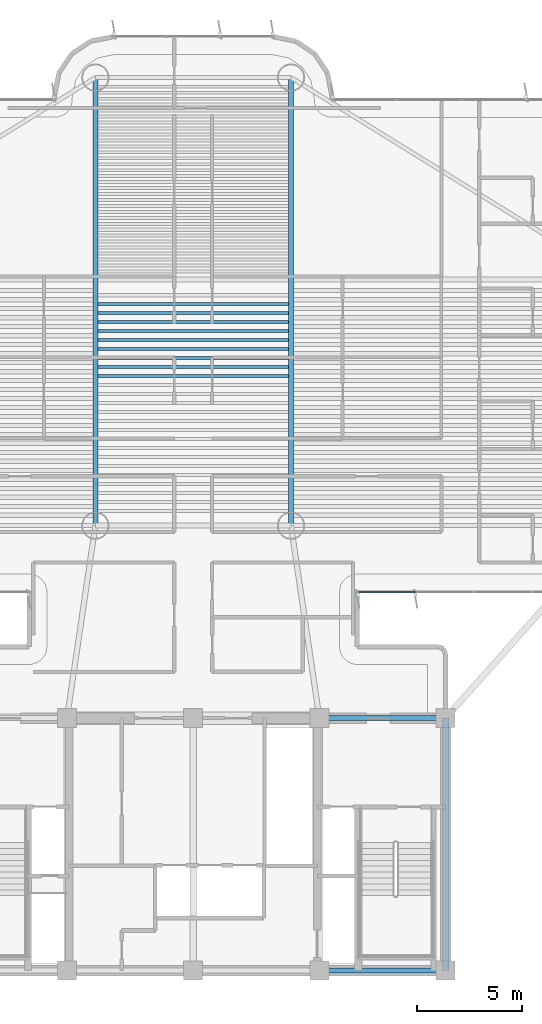
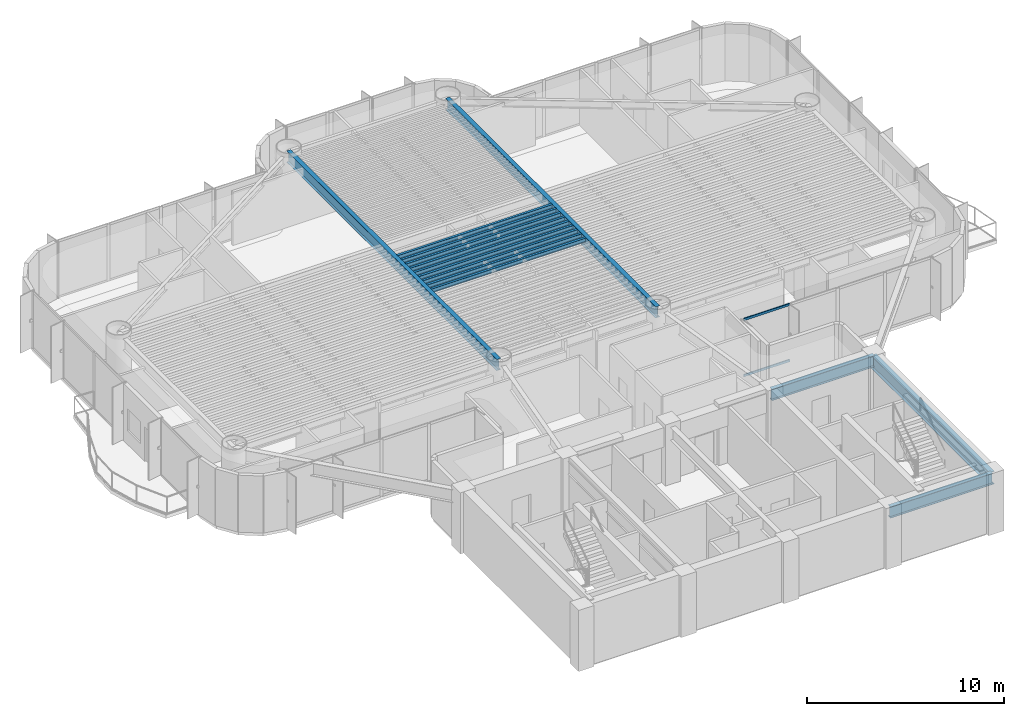
# One storey, part 3 of 17: 14 beams, 2 members, 1 element without a shape of its own.
"""IFC4 building model written with IfcOpenShell, lengths in metres."""

import ifcopenshell
import ifcopenshell.guid

model = None  # the IFC model being written
_history = None  # IfcOwnerHistory: only IFC2X3 demands one
_inside = {}  # id of a spatial element -> (the spatial element, [elements in it])
_under = {}  # id of a project, library or spatial element -> (it, [spatial elements below it])
_declared = {}  # id of a project -> (the project, [libraries it declares])
_typed = {}  # id of a type object -> (the type object, [elements of that type])
_made_of = {}  # id of a material, layer set ... -> (it, [elements and type objects made of it])


def new_model(schema):
    """Start an empty IFC model of exactly this schema.

    Asked for "IFC4X3", IfcOpenShell would pick the latest addendum, in which some entities
    have other attributes; the version numbers below select the first issue.
    IFC2X3 requires an IfcOwnerHistory on every rooted entity: one is made here for all.
    """
    global model, _history
    if schema == "IFC4X3":
        model = ifcopenshell.file(schema_version=(4, 3, 0, 0))
    else:
        model = ifcopenshell.file(schema=schema)
    _inside.clear()
    _under.clear()
    _declared.clear()
    _typed.clear()
    _made_of.clear()
    _history = None
    if model.schema == "IFC2X3":
        org = make("IfcOrganization", Name="unknown")
        user = make(
            "IfcPersonAndOrganization",
            ThePerson=make("IfcPerson", FamilyName="unknown"),
            TheOrganization=org,
        )
        app = make(
            "IfcApplication",
            ApplicationDeveloper=org,
            Version="unknown",
            ApplicationFullName="unknown",
            ApplicationIdentifier="unknown",
        )
        _history = make(
            "IfcOwnerHistory",
            OwningUser=user,
            OwningApplication=app,
            ChangeAction="ADDED",
            CreationDate=0,
        )
    return model


def make(cls, **values):
    """One entity of the class cls with the attributes given. An attribute that is None is left unset."""
    return model.create_entity(
        cls, **{name: value for name, value in values.items() if value is not None}
    )


def rooted(cls, **values):
    """An entity with a GlobalId (a new one), such as an element, a storey or a relation."""
    return make(cls, GlobalId=ifcopenshell.guid.new(), OwnerHistory=_history, **values)


def si_unit(unit_type, name, prefix=None):
    """IfcSIUnit, for example si_unit("LENGTHUNIT", "METRE", prefix="MILLI")."""
    return make("IfcSIUnit", UnitType=unit_type, Prefix=prefix, Name=name)


def assignment(units):
    """IfcUnitAssignment: the units of a project."""
    return None if units is None else make("IfcUnitAssignment", Units=units)


def point(xyz):
    """IfcCartesianPoint."""
    return None if xyz is None else make("IfcCartesianPoint", Coordinates=xyz)


def direction(xyz):
    """IfcDirection."""
    return None if xyz is None else make("IfcDirection", DirectionRatios=xyz)


def frame(location, z_axis=None, x_axis=None):
    """IfcAxis2Placement3D, a coordinate frame: its origin and axes. An axis left out is left unset."""
    return make(
        "IfcAxis2Placement3D",
        Location=point(location),
        Axis=direction(z_axis),
        RefDirection=direction(x_axis),
    )


def frame_2d(location, x_axis=None):
    """IfcAxis2Placement2D, a coordinate frame in the plane: its origin and x axis."""
    return make(
        "IfcAxis2Placement2D", Location=point(location), RefDirection=direction(x_axis)
    )


def origin():
    """The frame at (0, 0, 0) with its axes left unset."""
    return frame((0.0, 0.0, 0.0))


def origin_2d():
    """The frame at (0, 0) in the plane with its x axis left unset."""
    return frame_2d((0.0, 0.0))


def place(relative_to, where):
    """IfcLocalPlacement: puts the frame where relative to a parent placement (None: the world)."""
    return make(
        "IfcLocalPlacement", PlacementRelTo=relative_to, RelativePlacement=where
    )


def context(
    kind, dimensions, precision=None, world=None, true_north=None, identifier=None
):
    """IfcGeometricRepresentationContext, for example the 3D "Model" context."""
    return make(
        "IfcGeometricRepresentationContext",
        ContextIdentifier=identifier,
        ContextType=kind,
        CoordinateSpaceDimension=dimensions,
        Precision=precision,
        WorldCoordinateSystem=world,
        TrueNorth=true_north,
    )


def subcontext(parent, identifier, kind, view, scale=None):
    """IfcGeometricRepresentationSubContext, for example "Body" below "Model"."""
    return make(
        "IfcGeometricRepresentationSubContext",
        ContextIdentifier=identifier,
        ContextType=kind,
        ParentContext=parent,
        TargetScale=scale,
        TargetView=view,
    )


def project(units=None, contexts=None):
    """IfcProject with its units and contexts."""
    return rooted(
        "IfcProject",
        Name="project",
        RepresentationContexts=contexts,
        UnitsInContext=assignment(units),
    )


def spatial(cls, under=None, at=None, **own):
    """A site, building, storey or space (cls), placed at a placement, below another one or the project."""
    s = rooted(cls, ObjectPlacement=at, **own)
    if under is not None:
        _under.setdefault(under.id(), (under, []))[1].append(s)
    return s


def profile(cls, at=None, kind="AREA", **sizes):
    """A parametric profile (cls). Its sizes go by their IFC names, for example OverallWidth=200.0."""
    return make(cls, ProfileType=kind, Position=at, **sizes)


def rectangle(**sizes):
    """IfcRectangleProfileDef."""
    return profile("IfcRectangleProfileDef", **sizes)


def i_section(**sizes):
    """IfcIShapeProfileDef."""
    return profile("IfcIShapeProfileDef", **sizes)


def extrude(swept, where, along, depth):
    """IfcExtrudedAreaSolid: the profile swept, set in the frame where, extruded along a direction by depth."""
    return make(
        "IfcExtrudedAreaSolid",
        SweptArea=swept,
        Position=where,
        ExtrudedDirection=direction(along),
        Depth=depth,
    )


def shape(context_of_items, identifier, shape_type, items):
    """IfcShapeRepresentation: the items that make up one representation, for example the "Body"."""
    return make(
        "IfcShapeRepresentation",
        ContextOfItems=context_of_items,
        RepresentationIdentifier=identifier,
        RepresentationType=shape_type,
        Items=items,
    )


def source(mapping_origin, context_of_items, identifier, shape_type, items):
    """IfcRepresentationMap: a shape defined once, which mapped items show again and again."""
    return make(
        "IfcRepresentationMap",
        MappingOrigin=mapping_origin,
        MappedRepresentation=shape(context_of_items, identifier, shape_type, items),
    )


def transform(
    local_origin,
    x_axis=None,
    y_axis=None,
    z_axis=None,
    scale=None,
    scale2=None,
    scale3=None,
    uniform=True,
):
    """IfcCartesianTransformationOperator3D, or its non-uniform kind. x_axis, y_axis, z_axis: its Axis1, 2, 3."""
    if uniform:
        return make(
            "IfcCartesianTransformationOperator3D",
            Axis1=direction(x_axis),
            Axis2=direction(y_axis),
            LocalOrigin=point(local_origin),
            Scale=scale,
            Axis3=direction(z_axis),
        )
    return make(
        "IfcCartesianTransformationOperator3DnonUniform",
        Axis1=direction(x_axis),
        Axis2=direction(y_axis),
        LocalOrigin=point(local_origin),
        Scale=scale,
        Axis3=direction(z_axis),
        Scale2=scale2,
        Scale3=scale3,
    )


def mapped(mapping_source, mapping_target):
    """IfcMappedItem: shows the shape of a source again, moved by a transform."""
    return make(
        "IfcMappedItem", MappingSource=mapping_source, MappingTarget=mapping_target
    )


def material(Name=None, Category=None):
    """IfcMaterial."""
    return make("IfcMaterial", Name=Name, Category=Category)


def layer(
    of_material, thickness, ventilated=None, Name=None, Category=None, Priority=None
):
    """IfcMaterialLayer: one layer of a wall or slab, of a material (None: an air gap)."""
    return make(
        "IfcMaterialLayer",
        Material=of_material,
        LayerThickness=thickness,
        IsVentilated=ventilated,
        Name=Name,
        Category=Category,
        Priority=Priority,
    )


def layer_set(layers, Name=None):
    """IfcMaterialLayerSet."""
    return make("IfcMaterialLayerSet", MaterialLayers=layers, LayerSetName=Name)


def material_profile(
    of_material, cross_section, Name=None, Category=None, Priority=None
):
    """IfcMaterialProfile: a cross section and its material."""
    return make(
        "IfcMaterialProfile",
        Name=Name,
        Material=of_material,
        Profile=cross_section,
        Priority=Priority,
        Category=Category,
    )


def profile_set(profiles, Name=None, composite=None):
    """IfcMaterialProfileSet."""
    return make(
        "IfcMaterialProfileSet",
        Name=Name,
        MaterialProfiles=profiles,
        CompositeProfile=composite,
    )


def made_of(thing, what):
    """Note that an element or type object is made of a material, layer set ...; save() writes the relation."""
    if what is not None:
        _made_of.setdefault(what.id(), (what, []))[1].append(thing)
    return thing


def type_object(cls, material=None, **own):
    """A type object (cls), such as IfcWallType, which elements share."""
    return made_of(rooted(cls, **own), material)


def element(
    cls,
    number,
    at=None,
    inside=None,
    cuts=None,
    type_object=None,
    material=None,
    context=None,
    identifier="Body",
    shape_type=None,
    held_by="IfcProductDefinitionShape",
    body=None,
    shapes=None,
    **own,
):
    """One element of the class cls, such as IfcWall. Its Tag is "e" and its number.

    at: its placement. inside: the storey or other place that contains it. cuts: it is an
    opening in that element (IfcRelVoidsElement). A single representation is given by context,
    identifier, shape_type and body (its items); several are given by shapes. held_by: the class
    of the entity that holds the representations. save() writes the other relations.
    """
    e = rooted(cls, Tag="e%d" % number, ObjectPlacement=at, **own)
    if body is not None:
        shapes = [shape(context, identifier, shape_type, body)]
    if shapes is not None:
        e.Representation = make(held_by, Representations=shapes)
    if inside is not None:
        _inside.setdefault(inside.id(), (inside, []))[1].append(e)
    if cuts is not None:
        rooted(
            "IfcRelVoidsElement", RelatingBuildingElement=cuts, RelatedOpeningElement=e
        )
    if type_object is not None:
        _typed.setdefault(type_object.id(), (type_object, []))[1].append(e)
    return made_of(e, material)


def aggregate(whole, parts):
    """IfcRelAggregates: a whole, such as a stair, and the parts it consists of."""
    return rooted("IfcRelAggregates", RelatingObject=whole, RelatedObjects=parts)


def save(model, path):
    """Write the relations noted so far, then the file.

    IfcRelAggregates (storeys below a building ...), IfcRelContainedInSpatialStructure (elements
    in a storey), IfcRelDefinesByType, IfcRelAssociatesMaterial and IfcRelDeclares: one each for
    every whole, place, type object, material and project.
    """
    for whole, parts in _under.values():
        aggregate(whole, parts)
    for where, things in _inside.values():
        rooted(
            "IfcRelContainedInSpatialStructure",
            RelatedElements=things,
            RelatingStructure=where,
        )
    for kind, things in _typed.values():
        rooted("IfcRelDefinesByType", RelatedObjects=things, RelatingType=kind)
    for what, things in _made_of.values():
        rooted("IfcRelAssociatesMaterial", RelatedObjects=things, RelatingMaterial=what)
    for by, libraries in _declared.values():
        rooted("IfcRelDeclares", RelatingContext=by, RelatedDefinitions=libraries)
    model.write(path)


model = new_model("IFC4")

# Units and contexts
model_context = context("Model", 3, precision=1e-05, world=origin(), true_north=direction((0.0, 1.0)))
body_context = subcontext(model_context, "Body", "Model", "MODEL_VIEW")
ifc_project = project(units=[si_unit("LENGTHUNIT", "METRE"), si_unit("AREAUNIT", "SQUARE_METRE"), si_unit("VOLUMEUNIT", "CUBIC_METRE"), si_unit("PLANEANGLEUNIT", "RADIAN"), si_unit("MASSUNIT", "GRAM", prefix="KILO")], contexts=[model_context])

# Site, building, storey
site_placement = place(None, origin())
site = spatial("IfcSite", under=ifc_project, at=site_placement, CompositionType="ELEMENT")
building_placement = place(site_placement, origin())
building = spatial("IfcBuilding", under=site, at=building_placement, Name="Brelvock Crest Care Tower", CompositionType="ELEMENT")
storey_placement = place(building_placement, frame((0.0, 0.0, 127.6201171875)))
storey = spatial("IfcBuildingStorey", under=building, at=storey_placement, Name="L32", CompositionType="ELEMENT", Elevation=127.6201171875)

# Beams
ifc_material_1 = material(Name="Steel Grade 350", Category="steel")
ifc_material_profile_1 = material_profile(ifc_material_1, i_section(OverallWidth=0.25, OverallDepth=0.699951171875, WebThickness=0.011962890625, FlangeThickness=0.02001953125, at=origin_2d()), Name="700WB150")
ifc_profile_set_1 = profile_set([ifc_material_profile_1], Name="Steel Grade 350")
beam_type_1 = type_object("IfcBeamType", Name="BM-G4", PredefinedType="BEAM", material=ifc_profile_set_1)
shared_shape_1 = source(origin(), body_context, "Body", "SweptSolid", [
    extrude(i_section(OverallWidth=0.25, OverallDepth=0.699951171875, WebThickness=0.011962890625, FlangeThickness=0.02001953125, at=origin_2d()), origin(), (0.0, 0.0, 1.0), 6.0),
])
for number, where, z_axis, x_axis, name in (
    (1, (42.0, 6.0, 3.179931640625), (1.0, 0.0, 0.0), (0.0, 1.0, 0.0), "BM-CORES-L32-4"),
    (2, (42.0, 18.0, 3.179931640625), (1.0, 0.0, 0.0), (0.0, 1.0, 0.0), "BM-COREN-L32-4"),
):
    element("IfcBeam", number, at=place(storey_placement, frame(where, z_axis=z_axis, x_axis=x_axis)), inside=storey, type_object=beam_type_1, Name=name, PredefinedType="BEAM", context=body_context, shape_type="MappedRepresentation", body=[
        mapped(shared_shape_1, transform((0.0, 0.0, 0.0), x_axis=(1.0, 0.0, 0.0), y_axis=(0.0, 1.0, 0.0), z_axis=(0.0, 0.0, 1.0), scale=1.0)),
    ])
ifc_material_profile_2 = material_profile(ifc_material_1, i_section(OverallWidth=0.300048828125, OverallDepth=0.800048828125, WebThickness=0.013916015625, FlangeThickness=0.02197265625, at=origin_2d()), Name="800WB192")
ifc_profile_set_2 = profile_set([ifc_material_profile_2], Name="Steel Grade 350")
beam_type_2 = type_object("IfcBeamType", Name="BM-G5", PredefinedType="BEAM", material=ifc_profile_set_2)
shared_shape_2 = source(origin(), body_context, "Body", "SweptSolid", [
    extrude(i_section(OverallWidth=0.300048828125, OverallDepth=0.800048828125, WebThickness=0.013916015625, FlangeThickness=0.02197265625, at=origin_2d()), origin(), (0.0, 0.0, 1.0), 12.0),
])
beam_placement = place(storey_placement, frame((48.0, 6.0, 3.1298828125), z_axis=(0.0, 1.0, 0.0), x_axis=(-1.0, 0.0, 0.0)))
element("IfcBeam", 3, at=beam_placement, inside=storey, type_object=beam_type_2, Name="BM-COREX-L32-5", PredefinedType="BEAM", context=body_context, shape_type="MappedRepresentation", body=[
    mapped(shared_shape_2, transform((0.0, 0.0, 0.0), x_axis=(1.0, 0.0, 0.0), y_axis=(0.0, 1.0, 0.0), z_axis=(0.0, 0.0, 1.0), scale=1.0)),
])
ifc_material_profile_3 = material_profile(ifc_material_1, i_section(OverallWidth=0.14599609375, OverallDepth=0.256103515625, WebThickness=0.00634765625, FlangeThickness=0.010986328125, FilletRadius=0.0087890625, at=origin_2d()), Name="250UB37.3")
ifc_profile_set_3 = profile_set([ifc_material_profile_3], Name="Steel Grade 350")
beam_type_3 = type_object("IfcBeamType", Name="BM-J3", PredefinedType="JOIST", material=ifc_profile_set_3)
shared_shape_3 = source(origin(), body_context, "Body", "SweptSolid", [
    extrude(i_section(OverallWidth=0.14599609375, OverallDepth=0.256103515625, WebThickness=0.00634765625, FlangeThickness=0.010986328125, FilletRadius=0.0087890625, at=origin_2d()), origin(), (0.0, 0.0, 1.0), 9.06982421875),
])
for number, where, z_axis, x_axis, name in (
    (4, (31.465087890625, 34.2607421875, 3.40185546875), (1.0, 0.0, 0.0), (0.0, 1.0, 0.0), "BM-JH-L32-16"),
    (5, (31.465087890625, 34.687744140625, 3.40185546875), (1.0, 0.0, 0.0), (0.0, 1.0, 0.0), "BM-JH-L32-17"),
    (6, (31.465087890625, 35.11474609375, 3.40185546875), (1.0, 0.0, 0.0), (0.0, 1.0, 0.0), "BM-JH-L32-18"),
    (7, (31.465087890625, 35.541748046875, 3.40185546875), (1.0, 0.0, 0.0), (0.0, 1.0, 0.0), "BM-JH-L32-19"),
    (8, (31.465087890625, 35.96875, 3.40185546875), (1.0, 0.0, 0.0), (0.0, 1.0, 0.0), "BM-JH-L32-20"),
    (9, (31.465087890625, 36.39599609375, 3.40185546875), (1.0, 0.0, 0.0), (0.0, 1.0, 0.0), "BM-JH-L32-21"),
    (10, (31.465087890625, 36.822998046875, 3.40185546875), (1.0, 0.0, 0.0), (0.0, 1.0, 0.0), "BM-JH-L32-22"),
    (11, (31.465087890625, 37.25, 3.40185546875), (1.0, 0.0, 0.0), (0.0, 1.0, 0.0), "BM-JH-L32-23"),
    (12, (31.465087890625, 37.677001953125, 3.40185546875), (1.0, 0.0, 0.0), (0.0, 1.0, 0.0), "BM-JH-L32-24"),
):
    element("IfcBeam", number, at=place(storey_placement, frame(where, z_axis=z_axis, x_axis=x_axis)), inside=storey, type_object=beam_type_3, Name=name, PredefinedType="JOIST", context=body_context, shape_type="MappedRepresentation", body=[
        mapped(shared_shape_3, transform((0.0, 0.0, 0.0), x_axis=(1.0, 0.0, 0.0), y_axis=(0.0, 1.0, 0.0), z_axis=(0.0, 0.0, 1.0), scale=1.0)),
    ])
shared_shape_4 = source(origin(), body_context, "Body", "SweptSolid", [
    extrude(i_section(OverallWidth=0.25, OverallDepth=0.699951171875, WebThickness=0.011962890625, FlangeThickness=0.02001953125, at=origin_2d()), origin(), (0.0, 0.0, 1.0), 21.300048828125),
])
for number, where, z_axis, x_axis, name in (
    (13, (31.35009765625, 27.14990234375, 3.179931640625), (0.0, 1.0, 0.0), (-1.0, 0.0, 0.0), "BM-TWR-L32-09"),
    (14, (40.64990234375, 27.14990234375, 3.179931640625), (0.0, 1.0, 0.0), (-1.0, 0.0, 0.0), "BM-TWR-L32-10"),
):
    element("IfcBeam", number, at=place(storey_placement, frame(where, z_axis=z_axis, x_axis=x_axis)), inside=storey, type_object=beam_type_1, Name=name, PredefinedType="BEAM", context=body_context, shape_type="MappedRepresentation", body=[
        mapped(shared_shape_4, transform((0.0, 0.0, 0.0), x_axis=(1.0, 0.0, 0.0), y_axis=(0.0, 1.0, 0.0), z_axis=(0.0, 0.0, 1.0), scale=1.0)),
    ])

# Curtain wall, members
ifc_material_2 = material(Name="Dark Glass Double Glazed Low-E", Category="glass")
ifc_layer = layer(ifc_material_2, 0.2099609375, Name="CWS-3")
ifc_layer_set = layer_set([ifc_layer], Name="Dark Glass Double Glazed Low-E")
curtain_wall_type = type_object("IfcCurtainWallType", Name="CWS-3", PredefinedType="NOTDEFINED", material=ifc_layer_set)
curtain_wall_placement = place(storey_placement, origin())
curtain_wall = element("IfcCurtainWall", 15, at=curtain_wall_placement, inside=storey, type_object=curtain_wall_type, Name="L32 Curtain Wall E44", PredefinedType="NOTDEFINED")
ifc_material_3 = material(Name="Aluminium 6063-T6", Category="aluminium")
ifc_material_profile_4 = material_profile(ifc_material_3, rectangle(XDim=0.06005859375, YDim=0.139892578125, at=origin_2d()), Name="ALU60x140")
ifc_profile_set_4 = profile_set([ifc_material_profile_4], Name="Aluminium 6063-T6")
member_type = type_object("IfcMemberType", Name="CWT-2", PredefinedType="USERDEFINED", material=ifc_profile_set_4)
shared_shape_5 = source(origin(), body_context, "Body", "SweptSolid", [
    extrude(rectangle(XDim=0.06005859375, YDim=0.139892578125, at=origin_2d()), origin(), (0.0, 0.0, 1.0), 2.684814453125),
])
member_1_placement = place(storey_placement, frame((46.544921875, 24.0, 0.02978515625), z_axis=(-1.0, 0.0, 0.0), x_axis=(0.0, -1.0, 0.0)))
member_1 = element("IfcMember", 16, at=member_1_placement, type_object=member_type, Name="CW-3 transom 4.1", ObjectType="TRANSOM", PredefinedType="USERDEFINED", context=body_context, shape_type="MappedRepresentation", body=[
    mapped(shared_shape_5, transform((0.0, 0.0, 0.0), x_axis=(1.0, 0.0, 0.0), y_axis=(0.0, 1.0, 0.0), z_axis=(0.0, 0.0, 1.0), scale=1.0)),
])
member_2_placement = place(storey_placement, frame((46.544921875, 24.0, 3.5), z_axis=(-1.0, 0.0, 0.0), x_axis=(0.0, -1.0, 0.0)))
member_2 = element("IfcMember", 17, at=member_2_placement, type_object=member_type, Name="CW-3 transom 4.2", ObjectType="TRANSOM", PredefinedType="USERDEFINED", context=body_context, shape_type="MappedRepresentation", body=[
    mapped(shared_shape_5, transform((0.0, 0.0, 0.0), x_axis=(1.0, 0.0, 0.0), y_axis=(0.0, 1.0, 0.0), z_axis=(0.0, 0.0, 1.0), scale=1.0)),
])
aggregate(curtain_wall, [member_1, member_2])

save(model, "model.ifc")
